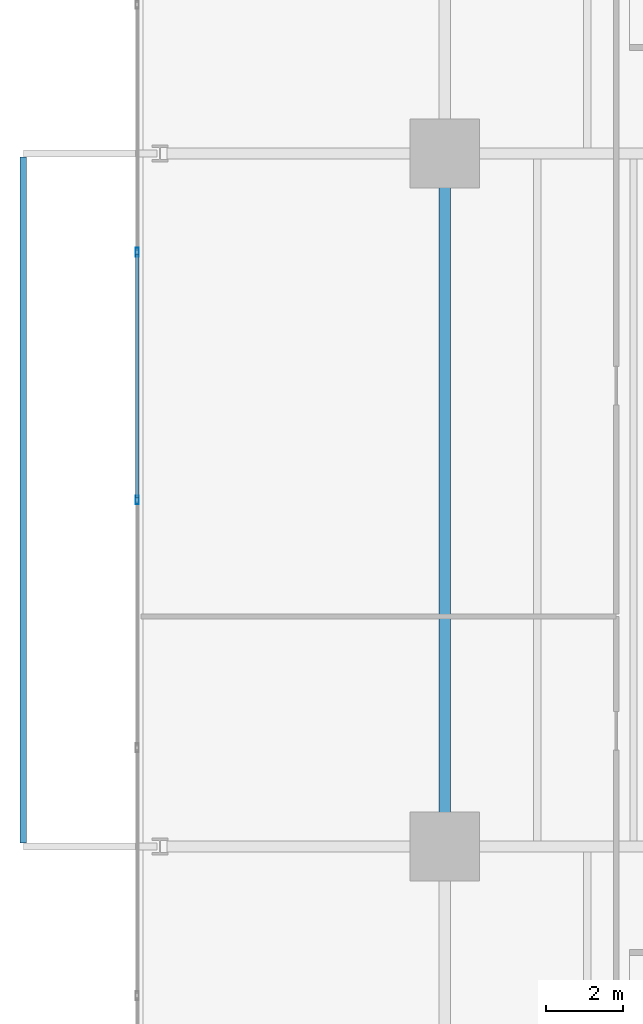
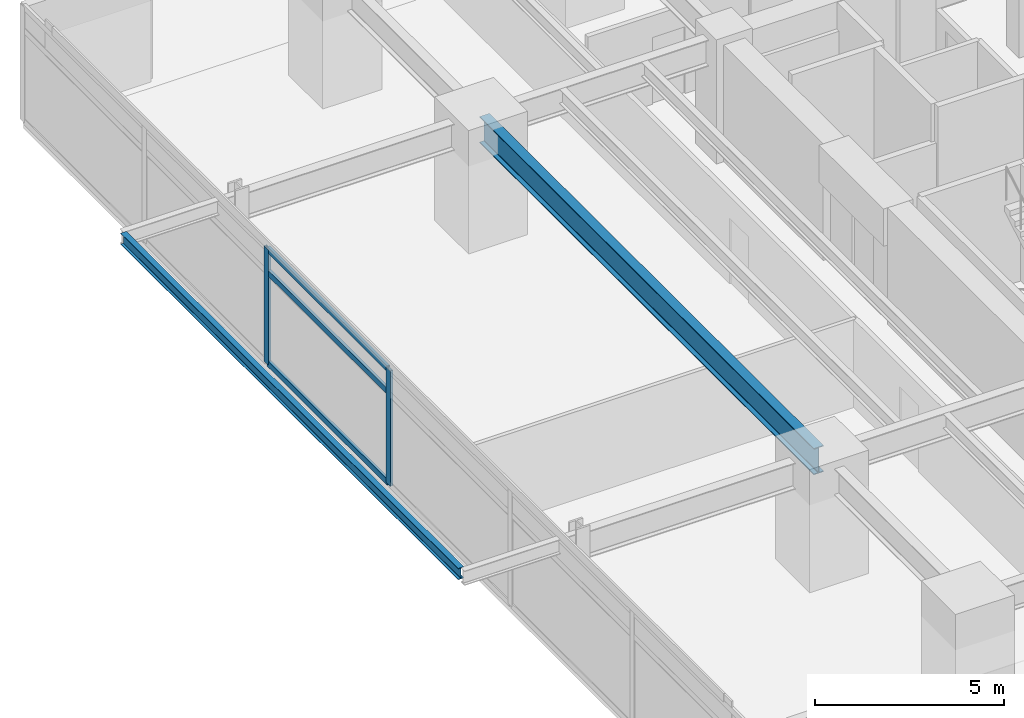
# One storey, part 5 of 24: 5 members, 2 beams, 1 element without a shape of its own.
"""IFC4 building model written with IfcOpenShell, lengths in metres."""

from ifc_helpers import new_model, si_unit, direction, frame, origin, origin_2d, place, context, subcontext, project, spatial, hollow_rectangle, i_section, extrude, material, material_profile, profile_set, type_object, element, aggregate, save


model = new_model("IFC4")

# Units and contexts
model_context = context("Model", 3, precision=1e-05, world=origin(), true_north=direction((0.0, 1.0)))
body_context = subcontext(model_context, "Body", "Model", "MODEL_VIEW")
ifc_project = project(units=[si_unit("LENGTHUNIT", "METRE"), si_unit("AREAUNIT", "SQUARE_METRE"), si_unit("VOLUMEUNIT", "CUBIC_METRE"), si_unit("PLANEANGLEUNIT", "RADIAN"), si_unit("MASSUNIT", "GRAM", prefix="KILO")], contexts=[model_context])

# Site, building, storey
site_placement = place(None, origin())
site = spatial("IfcSite", under=ifc_project, at=site_placement, CompositionType="ELEMENT")
building_placement = place(site_placement, origin())
building = spatial("IfcBuilding", under=site, at=building_placement, Name="Kovane Verandah Tower", CompositionType="ELEMENT")
storey_placement = place(building_placement, frame((0.0, 0.0, 95.60009765625)))
storey = spatial("IfcBuildingStorey", under=building, at=storey_placement, Name="L22", CompositionType="ELEMENT", Elevation=95.60009765625)

# Beam
ifc_material_1 = material(Name="Steel S355", Category="steel")
ifc_material_profile_1 = material_profile(ifc_material_1, i_section(OverallWidth=0.293701171875, OverallDepth=0.850830078125, WebThickness=0.01611328125, FlangeThickness=0.02685546875, FilletRadius=0.017822265625, at=origin_2d()), Name="UB838x292x226")
ifc_profile_set_1 = profile_set([ifc_material_profile_1], Name="Steel S355")
beam_type_1 = type_object("IfcBeamType", Name="BM-UB838x226", PredefinedType="BEAM", material=ifc_profile_set_1)
beam_1_placement = place(storey_placement, frame((21.60009765625, 18.679931640625, 3.33447265625), z_axis=(0.0, 1.0, 0.0), x_axis=(-1.0, 0.0, 0.0)))
element("IfcBeam", 1, at=beam_1_placement, inside=storey, type_object=beam_type_1, Name="L22 Primary Tower Girder G-RW2", PredefinedType="BEAM", context=body_context, shape_type="SweptSolid", body=[
    extrude(i_section(OverallWidth=0.293701171875, OverallDepth=0.850830078125, WebThickness=0.01611328125, FlangeThickness=0.02685546875, FilletRadius=0.017822265625, at=origin_2d()), origin(), (0.0, 0.0, 1.0), 17.64013671875),
])

# Curtain wall, members
ifc_material_2 = material(Name="Champagne Anodised Aluminium Frame with Low-E Clear Laminated Glass", Category="aluminium")
curtain_wall_type = type_object("IfcCurtainWallType", Name="CW-SYS-02-LOW", PredefinedType="NOTDEFINED", material=ifc_material_2)
curtain_wall_placement = place(storey_placement, origin())
curtain_wall = element("IfcCurtainWall", 2, at=curtain_wall_placement, inside=storey, type_object=curtain_wall_type, Name="L22 W Unitised Curtain Wall", PredefinedType="NOTDEFINED")
ifc_material_3 = material(Name="Champagne Anodised Aluminium 6063-T6", Category="aluminium")
ifc_material_profile_2 = material_profile(ifc_material_3, hollow_rectangle(XDim=0.0849609375, YDim=0.22998046875, WallThickness=0.00390625, at=origin_2d()), Name="AL85x230x4")
ifc_profile_set_2 = profile_set([ifc_material_profile_2], Name="Champagne Anodised Aluminium 6063-T6")
member_type_1 = type_object("IfcMemberType", Name="CW-MUL-85x230", PredefinedType="MULLION", material=ifc_profile_set_2)
member_1_placement = place(storey_placement, frame((13.613037109375, 33.93701171875, 0.02001953125), z_axis=(0.0, 0.0, 1.0), x_axis=(-1.0, 0.0, 0.0)))
member_1 = element("IfcMember", 3, at=member_1_placement, type_object=member_type_1, Name="L22 W Unitised Curtain Wall Mullion 3", PredefinedType="MULLION", context=body_context, shape_type="SweptSolid", body=[
    extrude(hollow_rectangle(XDim=0.0849609375, YDim=0.22998046875, WallThickness=0.00390625, at=origin_2d()), origin(), (0.0, 0.0, 1.0), 3.719970703125),
])
member_2_placement = place(storey_placement, frame((13.613037109375, 27.5, 0.02001953125), z_axis=(0.0, 0.0, 1.0), x_axis=(-1.0, 0.0, 0.0)))
member_2 = element("IfcMember", 4, at=member_2_placement, type_object=member_type_1, Name="L22 W Unitised Curtain Wall Mullion 4", PredefinedType="MULLION", context=body_context, shape_type="SweptSolid", body=[
    extrude(hollow_rectangle(XDim=0.0849609375, YDim=0.22998046875, WallThickness=0.00390625, at=origin_2d()), origin(), (0.0, 0.0, 1.0), 3.719970703125),
])
ifc_material_profile_3 = material_profile(ifc_material_3, hollow_rectangle(XDim=0.0849609375, YDim=0.18994140625, WallThickness=0.00390625, at=origin_2d()), Name="AL85x190x4")
ifc_profile_set_3 = profile_set([ifc_material_profile_3], Name="Champagne Anodised Aluminium 6063-T6")
member_type_2 = type_object("IfcMemberType", Name="CW-TRN-85x190", PredefinedType="USERDEFINED", material=ifc_profile_set_3)
member_3_placement = place(storey_placement, frame((13.613037109375, 33.886962890625, 0.0498046875), z_axis=(0.0, -1.0, 0.0), x_axis=(1.0, 0.0, 0.0)))
member_3 = element("IfcMember", 5, at=member_3_placement, type_object=member_type_2, Name="L22 W Unitised Curtain Wall Transom TB Bay 3", ObjectType="TRANSOM", PredefinedType="USERDEFINED", context=body_context, shape_type="SweptSolid", body=[
    extrude(hollow_rectangle(XDim=0.0849609375, YDim=0.18994140625, WallThickness=0.00390625, at=origin_2d()), origin(), (0.0, 0.0, 1.0), 6.3369140625),
])
member_4_placement = place(storey_placement, frame((13.613037109375, 33.886962890625, 2.97998046875), z_axis=(0.0, -1.0, 0.0), x_axis=(1.0, 0.0, 0.0)))
member_4 = element("IfcMember", 6, at=member_4_placement, type_object=member_type_2, Name="L22 W Unitised Curtain Wall Transom TM Bay 3", ObjectType="TRANSOM", PredefinedType="USERDEFINED", context=body_context, shape_type="SweptSolid", body=[
    extrude(hollow_rectangle(XDim=0.0849609375, YDim=0.18994140625, WallThickness=0.00390625, at=origin_2d()), origin(), (0.0, 0.0, 1.0), 6.3369140625),
])
member_5_placement = place(storey_placement, frame((13.613037109375, 33.886962890625, 3.7099609375), z_axis=(0.0, -1.0, 0.0), x_axis=(1.0, 0.0, 0.0)))
member_5 = element("IfcMember", 7, at=member_5_placement, type_object=member_type_2, Name="L22 W Unitised Curtain Wall Transom TT Bay 3", ObjectType="TRANSOM", PredefinedType="USERDEFINED", context=body_context, shape_type="SweptSolid", body=[
    extrude(hollow_rectangle(XDim=0.0849609375, YDim=0.18994140625, WallThickness=0.00390625, at=origin_2d()), origin(), (0.0, 0.0, 1.0), 6.3369140625),
])
aggregate(curtain_wall, [member_1, member_2, member_3, member_4, member_5])

# Beam
ifc_material_profile_4 = material_profile(ifc_material_1, i_section(OverallWidth=0.173095703125, OverallDepth=0.36328125, WebThickness=0.009033203125, FlangeThickness=0.015625, FilletRadius=0.01025390625, at=origin_2d()), Name="UB356x171x67")
ifc_profile_set_4 = profile_set([ifc_material_profile_4], Name="Steel S355")
beam_type_2 = type_object("IfcBeamType", Name="SPD-UB356x67", PredefinedType="USERDEFINED", material=ifc_profile_set_4)
beam_2_placement = place(storey_placement, frame((10.6513671875, 18.594482421875, 3.578125), z_axis=(0.0, 1.0, 0.0), x_axis=(-1.0, 0.0, 0.0)))
element("IfcBeam", 8, at=beam_2_placement, inside=storey, type_object=beam_type_2, Name="L22 West Planter Edge Spandrel", ObjectType="SPANDREL", PredefinedType="USERDEFINED", context=body_context, shape_type="SweptSolid", body=[
    extrude(i_section(OverallWidth=0.173095703125, OverallDepth=0.36328125, WebThickness=0.009033203125, FlangeThickness=0.015625, FilletRadius=0.01025390625, at=origin_2d()), origin(), (0.0, 0.0, 1.0), 17.81103515625),
])

save(model, "model.ifc")
